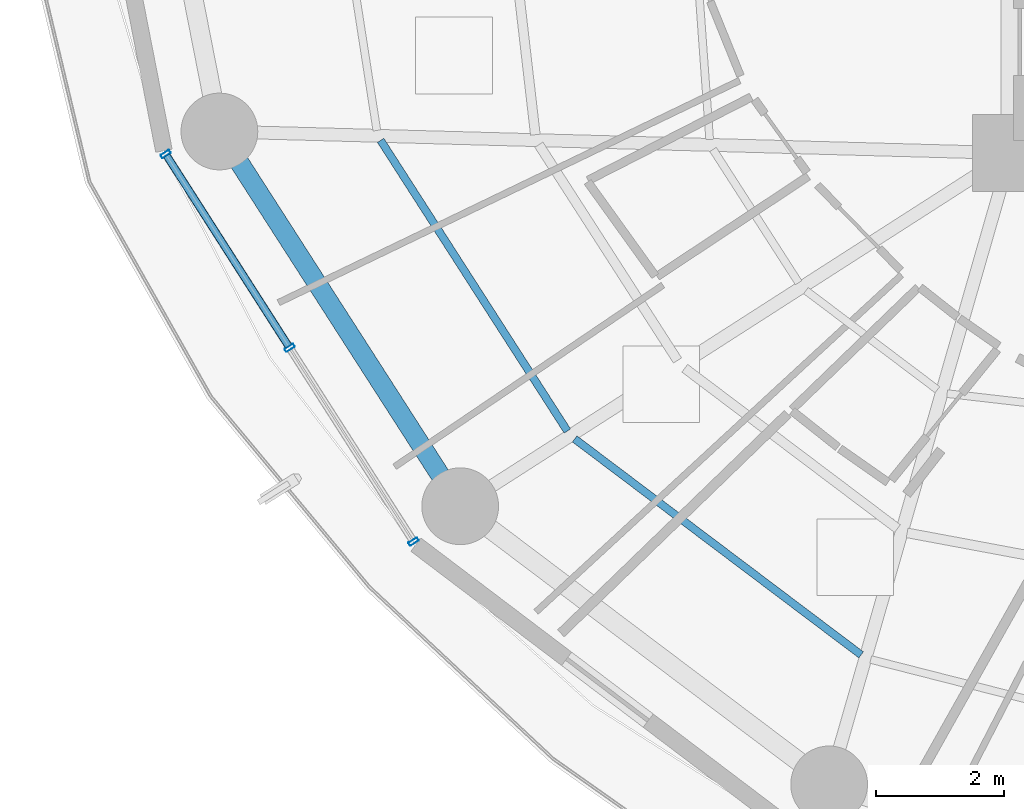
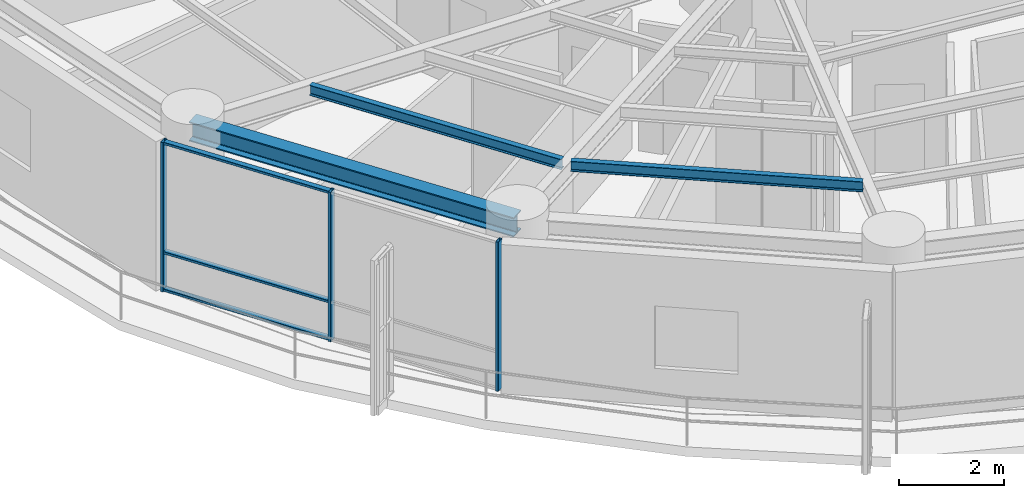
# One storey, part 2 of 28: 6 members, 3 beams, 1 element without a shape of its own.
"""IFC4 building model written with IfcOpenShell, lengths in metres."""

from ifc_helpers import new_model, si_unit, direction, frame, origin, origin_2d, place, context, subcontext, project, spatial, hollow_rectangle, i_section, extrude, material, layer, layer_set, material_profile, profile_set, type_object, element, aggregate, save


model = new_model("IFC4")

# Units and contexts
model_context = context("Model", 3, precision=1e-05, world=origin(), true_north=direction((0.0, 1.0)))
body_context = subcontext(model_context, "Body", "Model", "MODEL_VIEW")
ifc_project = project(units=[si_unit("LENGTHUNIT", "METRE"), si_unit("AREAUNIT", "SQUARE_METRE"), si_unit("VOLUMEUNIT", "CUBIC_METRE"), si_unit("PLANEANGLEUNIT", "RADIAN"), si_unit("MASSUNIT", "GRAM", prefix="KILO")], contexts=[model_context])

# Site, building, storey
site_placement = place(None, origin())
site = spatial("IfcSite", under=ifc_project, at=site_placement, CompositionType="ELEMENT")
building_placement = place(site_placement, origin())
building = spatial("IfcBuilding", under=site, at=building_placement, Name="Kelanora Arch Commons", CompositionType="ELEMENT")
storey_placement = place(building_placement, frame((0.0, 0.0, 161.85009765625)))
storey = spatial("IfcBuildingStorey", under=building, at=storey_placement, Name="L41", CompositionType="ELEMENT", Elevation=161.85009765625)

# Beams
ifc_material_1 = material(Name="Steel S355", Category="steel")
ifc_material_profile_1 = material_profile(ifc_material_1, i_section(OverallWidth=0.1201171875, OverallDepth=0.239990234375, WebThickness=0.006103515625, FlangeThickness=0.009765625, FilletRadius=0.014892578125, at=origin_2d()), Name="IPE240")
ifc_profile_set_1 = profile_set([ifc_material_profile_1], Name="Steel S355")
beam_type_1 = type_object("IfcBeamType", Name="BM-JST-02", PredefinedType="JOIST", material=ifc_profile_set_1)
beam_1_placement = place(storey_placement, frame((56.14794921875, 51.198486328125, 3.369873046875), z_axis=(0.540581678156, -0.841291536414, 0.0), x_axis=(0.841291536414, 0.540581678156, 0.0)))
element("IfcBeam", 1, at=beam_1_placement, inside=storey, type_object=beam_type_1, Name="Secondary Chord Joist BJC-20 L41", PredefinedType="JOIST", context=body_context, shape_type="SweptSolid", body=[
    extrude(i_section(OverallWidth=0.1201171875, OverallDepth=0.239990234375, WebThickness=0.006103515625, FlangeThickness=0.009765625, FilletRadius=0.014892578125, at=origin_2d()), origin(), (0.0, 0.0, 1.0), 5.4013671875),
])
beam_2_placement = place(storey_placement, frame((59.181640625, 46.531494140625, 3.369873046875), z_axis=(0.798493128577, -0.602003923256, 0.0), x_axis=(0.602003923256, 0.798493128577, 0.0)))
element("IfcBeam", 2, at=beam_2_placement, inside=storey, type_object=beam_type_1, Name="Secondary Chord Joist BJC-22 L41", PredefinedType="JOIST", context=body_context, shape_type="SweptSolid", body=[
    extrude(i_section(OverallWidth=0.1201171875, OverallDepth=0.239990234375, WebThickness=0.006103515625, FlangeThickness=0.009765625, FilletRadius=0.014892578125, at=origin_2d()), origin(), (0.0, 0.0, 1.0), 5.608642578125),
])
ifc_material_profile_2 = material_profile(ifc_material_1, i_section(OverallWidth=0.300048828125, OverallDepth=0.449951171875, WebThickness=0.013916015625, FlangeThickness=0.02587890625, FilletRadius=0.027099609375, at=origin_2d()), Name="HEB450")
ifc_profile_set_2 = profile_set([ifc_material_profile_2], Name="Steel S355")
beam_type_2 = type_object("IfcBeamType", Name="BM-SPN-Z3", PredefinedType="SPANDREL", material=ifc_profile_set_2)
beam_3_placement = place(storey_placement, frame((53.62744140625, 51.33740234375, 3.264892578125), z_axis=(0.540576852469, -0.841294637196, 0.0), x_axis=(0.841294637196, 0.540576852469, 0.0)))
element("IfcBeam", 3, at=beam_3_placement, inside=storey, type_object=beam_type_2, Name="Perimeter Spandrel Beam BS-20 L41", PredefinedType="SPANDREL", context=body_context, shape_type="SweptSolid", body=[
    extrude(i_section(OverallWidth=0.300048828125, OverallDepth=0.449951171875, WebThickness=0.013916015625, FlangeThickness=0.02587890625, FilletRadius=0.027099609375, at=origin_2d()), origin(), (0.0, 0.0, 1.0), 6.964111328125),
])

# Curtain wall, members
ifc_material_2 = material(Name="Terracotta ceramic-fritted low-E glass and aluminium", Category="masonry")
ifc_layer = layer(ifc_material_2, 0.175048828125)
ifc_layer_set = layer_set([ifc_layer], Name="Terracotta ceramic-fritted low-E glass and aluminium")
curtain_wall_type = type_object("IfcCurtainWallType", Name="CW-SYS-02", PredefinedType="NOTDEFINED", material=ifc_layer_set)
curtain_wall_placement = place(storey_placement, origin())
curtain_wall = element("IfcCurtainWall", 4, at=curtain_wall_placement, inside=storey, type_object=curtain_wall_type, Name="Unitised Curtain Wall L41-B10", PredefinedType="NOTDEFINED")
ifc_material_3 = material(Name="Powder-coated aluminium terracotta", Category="masonry")
ifc_material_profile_3 = material_profile(ifc_material_3, hollow_rectangle(XDim=0.159912109375, YDim=0.06005859375, WallThickness=0.0048828125, InnerFilletRadius=0.0048828125, OuterFilletRadius=0.010009765625, at=origin_2d()), Name="CWM160x60")
ifc_profile_set_3 = profile_set([ifc_material_profile_3], Name="Powder-coated aluminium terracotta")
member_type_1 = type_object("IfcMemberType", Name="CWM-STD", PredefinedType="MULLION", material=ifc_profile_set_3)
member_1_placement = place(storey_placement, frame((52.787109375, 50.98486328125, 0.0), z_axis=(0.0, 0.0, 1.0), x_axis=(0.842422846546, 0.538816988983, 0.0)))
member_1 = element("IfcMember", 5, at=member_1_placement, type_object=member_type_1, Name="CW-02 mullion 1", PredefinedType="MULLION", context=body_context, shape_type="SweptSolid", body=[
    extrude(hollow_rectangle(XDim=0.159912109375, YDim=0.06005859375, WallThickness=0.0048828125, InnerFilletRadius=0.0048828125, OuterFilletRadius=0.010009765625, at=origin_2d()), origin(), (0.0, 0.0, 1.0), 3.474853515625),
])
member_2_placement = place(storey_placement, frame((54.72509765625, 47.954833984375, 0.0), z_axis=(0.0, 0.0, 1.0), x_axis=(0.842422846546, 0.538816988983, 0.0)))
member_2 = element("IfcMember", 6, at=member_2_placement, type_object=member_type_1, Name="CW-02 mullion 2", PredefinedType="MULLION", context=body_context, shape_type="SweptSolid", body=[
    extrude(hollow_rectangle(XDim=0.159912109375, YDim=0.06005859375, WallThickness=0.0048828125, InnerFilletRadius=0.0048828125, OuterFilletRadius=0.010009765625, at=origin_2d()), origin(), (0.0, 0.0, 1.0), 3.474853515625),
])
member_3_placement = place(storey_placement, frame((56.6630859375, 44.925048828125, 0.0), z_axis=(0.0, 0.0, 1.0), x_axis=(0.842422846546, 0.538816988983, 0.0)))
member_3 = element("IfcMember", 7, at=member_3_placement, type_object=member_type_1, Name="CW-02 mullion 3", PredefinedType="MULLION", context=body_context, shape_type="SweptSolid", body=[
    extrude(hollow_rectangle(XDim=0.159912109375, YDim=0.06005859375, WallThickness=0.0048828125, InnerFilletRadius=0.0048828125, OuterFilletRadius=0.010009765625, at=origin_2d()), origin(), (0.0, 0.0, 1.0), 3.474853515625),
])
ifc_material_profile_4 = material_profile(ifc_material_3, hollow_rectangle(XDim=0.1201171875, YDim=0.06005859375, WallThickness=0.0048828125, InnerFilletRadius=0.0048828125, OuterFilletRadius=0.010009765625, at=origin_2d()), Name="CWT120x60")
ifc_profile_set_4 = profile_set([ifc_material_profile_4], Name="Powder-coated aluminium terracotta")
member_type_2 = type_object("IfcMemberType", Name="CWT-STD", PredefinedType="USERDEFINED", material=ifc_profile_set_4)
member_4_placement = place(storey_placement, frame((52.80322265625, 50.959716796875, 0.02978515625), z_axis=(0.53883037555, -0.842414284295, 0.0), x_axis=(0.842414284295, 0.53883037555, 0.0)))
member_4 = element("IfcMember", 8, at=member_4_placement, type_object=member_type_2, Name="CW-02 transom 1.1", ObjectType="TRANSOM", PredefinedType="USERDEFINED", context=body_context, shape_type="SweptSolid", body=[
    extrude(hollow_rectangle(XDim=0.1201171875, YDim=0.06005859375, WallThickness=0.0048828125, InnerFilletRadius=0.0048828125, OuterFilletRadius=0.010009765625, at=origin_2d()), origin(), (0.0, 0.0, 1.0), 3.536865234375),
])
member_5_placement = place(storey_placement, frame((52.80322265625, 50.959716796875, 0.89990234375), z_axis=(0.53883037555, -0.842414284295, 0.0), x_axis=(0.842414284295, 0.53883037555, 0.0)))
member_5 = element("IfcMember", 9, at=member_5_placement, type_object=member_type_2, Name="CW-02 transom 1.2", ObjectType="TRANSOM", PredefinedType="USERDEFINED", context=body_context, shape_type="SweptSolid", body=[
    extrude(hollow_rectangle(XDim=0.1201171875, YDim=0.06005859375, WallThickness=0.0048828125, InnerFilletRadius=0.0048828125, OuterFilletRadius=0.010009765625, at=origin_2d()), origin(), (0.0, 0.0, 1.0), 3.536865234375),
])
member_6_placement = place(storey_placement, frame((52.80322265625, 50.959716796875, 3.44482421875), z_axis=(0.53883037555, -0.842414284295, 0.0), x_axis=(0.842414284295, 0.53883037555, 0.0)))
member_6 = element("IfcMember", 10, at=member_6_placement, type_object=member_type_2, Name="CW-02 transom 1.3", ObjectType="TRANSOM", PredefinedType="USERDEFINED", context=body_context, shape_type="SweptSolid", body=[
    extrude(hollow_rectangle(XDim=0.1201171875, YDim=0.06005859375, WallThickness=0.0048828125, InnerFilletRadius=0.0048828125, OuterFilletRadius=0.010009765625, at=origin_2d()), origin(), (0.0, 0.0, 1.0), 3.536865234375),
])
aggregate(curtain_wall, [member_1, member_2, member_3, member_4, member_5, member_6])

save(model, "model.ifc")
